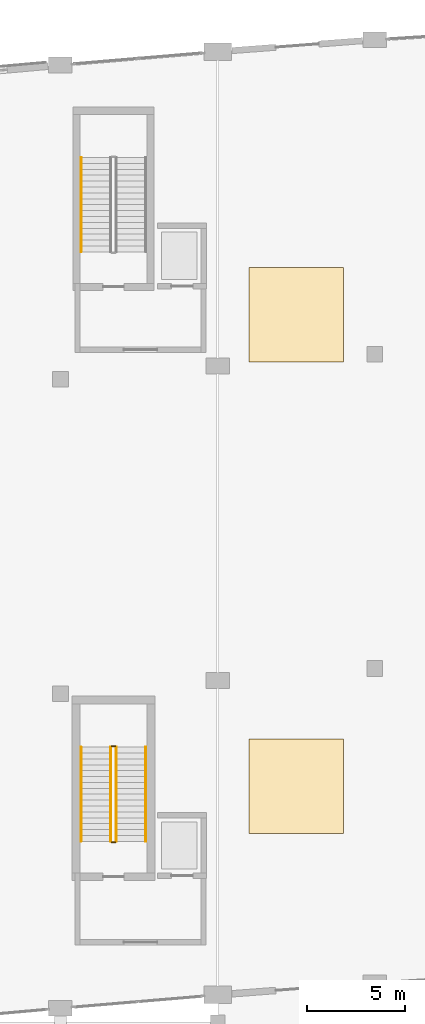
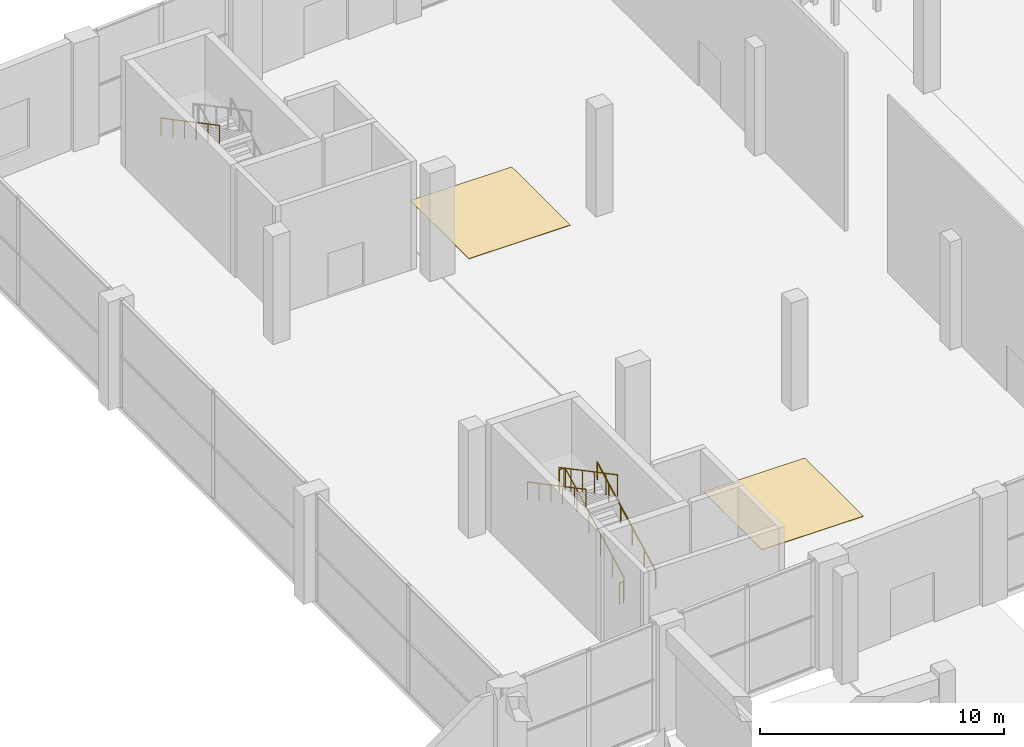
# One storey, part 75 of 86: 7 railings, 2 coverings.
"""IFC4 building model written with IfcOpenShell, lengths in metres."""

from ifc_helpers import new_model, si_unit, direction, frame, origin, origin_2d, place, context, subcontext, project, spatial, rectangle, circle, extrude, material, layer, layer_set, type_object, element, save


model = new_model("IFC4")

# Units and contexts
model_context = context("Model", 3, precision=1e-05, world=origin(), true_north=direction((0.0, 1.0)))
body_context = subcontext(model_context, "Body", "Model", "MODEL_VIEW")
ifc_project = project(units=[si_unit("LENGTHUNIT", "METRE"), si_unit("AREAUNIT", "SQUARE_METRE"), si_unit("VOLUMEUNIT", "CUBIC_METRE"), si_unit("PLANEANGLEUNIT", "RADIAN"), si_unit("MASSUNIT", "GRAM", prefix="KILO")], contexts=[model_context])

# Site, building, storey
site_placement = place(None, origin())
site = spatial("IfcSite", under=ifc_project, at=site_placement, CompositionType="ELEMENT")
building_placement = place(site_placement, origin())
building = spatial("IfcBuilding", under=site, at=building_placement, Name="Kenh Van Central Station", CompositionType="ELEMENT")
storey_placement = place(building_placement, origin())
storey = spatial("IfcBuildingStorey", under=building, at=storey_placement, Name="L00", CompositionType="ELEMENT", Elevation=0.0)

# Coverings
ifc_material_1 = material(Name="Polished station granite terrazzo", Category="masonry")
ifc_layer = layer(ifc_material_1, 0.02001953125, Name="Polished station granite terrazzo")
ifc_layer_set = layer_set([ifc_layer], Name="Polished station granite terrazzo")
covering_type = type_object("IfcCoveringType", Name="COV-FLR-GRANITE", PredefinedType="FLOORING", material=ifc_layer_set)
for number, where, z_axis, x_axis, name in (
    (1, (52.0, 76.0, 0.0), (0.0, 0.0, 1.0), (1.0, 0.0, 0.0), "L00 granite floor finish 017"),
    (2, (52.0, 100.0, 0.0), (0.0, 0.0, 1.0), (1.0, 0.0, 0.0), "L00 granite floor finish 018"),
):
    element("IfcCovering", number, at=place(storey_placement, frame(where, z_axis=z_axis, x_axis=x_axis)), inside=storey, type_object=covering_type, Name=name, PredefinedType="FLOORING", context=body_context, shape_type="SweptSolid", body=[
        extrude(rectangle(XDim=4.800048828125, YDim=4.800048828125, at=origin_2d()), origin(), (0.0, 0.0, 1.0), 0.02001953125),
    ])

# Railings
ifc_material_2 = material(Name="Champagne anodised aluminium", Category="aluminium")
railing_type_1 = type_object("IfcRailingType", Name="RAIL-CORE-GRD110", PredefinedType="GUARDRAIL", material=ifc_material_2)
railing_1_placement = place(storey_placement, frame((42.85009765625, 73.199951171875, 0.158935546875)))
element("IfcRailing", 3, at=railing_1_placement, inside=storey, type_object=railing_type_1, Name="L00 ST-05 stair guard 1", PredefinedType="GUARDRAIL", context=body_context, shape_type="SweptSolid", body=[
    extrude(circle(Radius=0.02392578125, at=origin_2d()), frame((0.0, 0.0, 1.076171875), z_axis=(0.0, 0.883802130504, 0.467860870469), x_axis=(-1.0, 0.0, 0.0)), (0.0, 0.0, 1.0), 5.43115234375),
    extrude(circle(Radius=0.02099609375, at=origin_2d()), origin(), (0.0, 0.0, 1.0), 1.052001953125),
    extrude(circle(Radius=0.02099609375, at=origin_2d()), frame((0.0, 0.9599609375, 0.50830078125)), (0.0, 0.0, 1.0), 1.052001953125),
    extrude(circle(Radius=0.02099609375, at=origin_2d()), frame((0.0, 1.919921875, 1.016357421875)), (0.0, 0.0, 1.0), 1.052001953125),
    extrude(circle(Radius=0.02099609375, at=origin_2d()), frame((0.0, 2.880126953125, 1.524658203125)), (0.0, 0.0, 1.0), 1.052001953125),
    extrude(circle(Radius=0.02099609375, at=origin_2d()), frame((0.0, 3.840087890625, 2.03271484375)), (0.0, 0.0, 1.0), 1.052001953125),
    extrude(circle(Radius=0.02099609375, at=origin_2d()), frame((0.0, 4.800048828125, 2.541015625)), (0.0, 0.0, 1.0), 1.052001953125),
])
railing_2_placement = place(storey_placement, frame((42.800048828125, 78.050048828125, 2.699951171875)))
element("IfcRailing", 4, at=railing_2_placement, inside=storey, type_object=railing_type_1, Name="L00 ST-05 stair guard 2", PredefinedType="GUARDRAIL", context=body_context, shape_type="SweptSolid", body=[
    extrude(circle(Radius=0.02392578125, at=origin_2d()), frame((0.0, 0.0, 1.076171875), z_axis=(-1.0, 0.0, 0.0), x_axis=(0.0, -1.0, 0.0)), (0.0, 0.0, 1.0), 0.199951171875),
    extrude(circle(Radius=0.02099609375, at=origin_2d()), origin(), (0.0, 0.0, 1.0), 1.052001953125),
    extrude(circle(Radius=0.02099609375, at=origin_2d()), frame((-0.199951171875, 0.0, 0.0)), (0.0, 0.0, 1.0), 1.052001953125),
])
railing_3_placement = place(storey_placement, frame((42.550048828125, 78.0, 2.85888671875)))
element("IfcRailing", 5, at=railing_3_placement, inside=storey, type_object=railing_type_1, Name="L00 ST-05 stair guard 3", PredefinedType="GUARDRAIL", context=body_context, shape_type="SweptSolid", body=[
    extrude(circle(Radius=0.02392578125, at=origin_2d()), frame((0.0, 0.0, 1.076171875), z_axis=(0.0, -0.883802130504, 0.467860870469), x_axis=(1.0, 0.0, 0.0)), (0.0, 0.0, 1.0), 5.43115234375),
    extrude(circle(Radius=0.02099609375, at=origin_2d()), origin(), (0.0, 0.0, 1.0), 1.052001953125),
    extrude(circle(Radius=0.02099609375, at=origin_2d()), frame((0.0, -0.9599609375, 0.50830078125)), (0.0, 0.0, 1.0), 1.052001953125),
    extrude(circle(Radius=0.02099609375, at=origin_2d()), frame((0.0, -1.919921875, 1.016357421875)), (0.0, 0.0, 1.0), 1.052001953125),
    extrude(circle(Radius=0.02099609375, at=origin_2d()), frame((0.0, -2.880126953125, 1.524658203125)), (0.0, 0.0, 1.0), 1.052001953125),
    extrude(circle(Radius=0.02099609375, at=origin_2d()), frame((0.0, -3.840087890625, 2.03271484375)), (0.0, 0.0, 1.0), 1.052001953125),
    extrude(circle(Radius=0.02099609375, at=origin_2d()), frame((0.0, -4.800048828125, 2.541015625)), (0.0, 0.0, 1.0), 1.052001953125),
])
railing_4_placement = place(storey_placement, frame((42.800048828125, 73.14990234375, 0.0)))
element("IfcRailing", 6, at=railing_4_placement, inside=storey, type_object=railing_type_1, Name="L00 ST-05 stair guard 4", PredefinedType="GUARDRAIL", context=body_context, shape_type="SweptSolid", body=[
    extrude(circle(Radius=0.02392578125, at=origin_2d()), frame((0.0, 0.0, 1.076171875), z_axis=(-1.0, 0.0, 0.0), x_axis=(0.0, -1.0, 0.0)), (0.0, 0.0, 1.0), 0.199951171875),
    extrude(circle(Radius=0.02099609375, at=origin_2d()), origin(), (0.0, 0.0, 1.0), 1.052001953125),
    extrude(circle(Radius=0.02099609375, at=origin_2d()), frame((-0.199951171875, 0.0, 0.0)), (0.0, 0.0, 1.0), 1.052001953125),
])
railing_type_2 = type_object("IfcRailingType", Name="RAIL-CORE-HND90", PredefinedType="HANDRAIL", material=ifc_material_2)
railing_5_placement = place(storey_placement, frame((44.35009765625, 73.199951171875, 0.158935546875)))
element("IfcRailing", 7, at=railing_5_placement, inside=storey, type_object=railing_type_2, Name="L00 ST-05 stair handrail 1", PredefinedType="HANDRAIL", context=body_context, shape_type="SweptSolid", body=[
    extrude(circle(Radius=0.02392578125, at=origin_2d()), frame((0.0, 0.0, 0.8759765625), z_axis=(0.0, 0.883802130504, 0.467860870469), x_axis=(-1.0, 0.0, 0.0)), (0.0, 0.0, 1.0), 5.43115234375),
    extrude(circle(Radius=0.02099609375, at=origin_2d()), origin(), (0.0, 0.0, 1.0), 0.851806640625),
    extrude(circle(Radius=0.02099609375, at=origin_2d()), frame((0.0, 0.9599609375, 0.50830078125)), (0.0, 0.0, 1.0), 0.851806640625),
    extrude(circle(Radius=0.02099609375, at=origin_2d()), frame((0.0, 1.919921875, 1.016357421875)), (0.0, 0.0, 1.0), 0.851806640625),
    extrude(circle(Radius=0.02099609375, at=origin_2d()), frame((0.0, 2.880126953125, 1.524658203125)), (0.0, 0.0, 1.0), 0.851806640625),
    extrude(circle(Radius=0.02099609375, at=origin_2d()), frame((0.0, 3.840087890625, 2.03271484375)), (0.0, 0.0, 1.0), 0.851806640625),
    extrude(circle(Radius=0.02099609375, at=origin_2d()), frame((0.0, 4.800048828125, 2.541015625)), (0.0, 0.0, 1.0), 0.851806640625),
])
for number, where, name in (
    (8, (41.050048828125, 78.0, 2.85888671875), "L00 ST-05 stair handrail 2"),
    (9, (41.050048828125, 108.0, 2.85888671875), "L00 ST-07 stair handrail 2"),
):
    element("IfcRailing", number, at=place(storey_placement, frame(where)), inside=storey, type_object=railing_type_2, Name=name, PredefinedType="HANDRAIL", context=body_context, shape_type="SweptSolid", body=[
        extrude(circle(Radius=0.02392578125, at=origin_2d()), frame((0.0, 0.0, 0.8759765625), z_axis=(0.0, -0.883802130504, 0.467860870469), x_axis=(1.0, 0.0, 0.0)), (0.0, 0.0, 1.0), 5.43115234375),
        extrude(circle(Radius=0.02099609375, at=origin_2d()), origin(), (0.0, 0.0, 1.0), 0.851806640625),
        extrude(circle(Radius=0.02099609375, at=origin_2d()), frame((0.0, -0.9599609375, 0.50830078125)), (0.0, 0.0, 1.0), 0.851806640625),
        extrude(circle(Radius=0.02099609375, at=origin_2d()), frame((0.0, -1.919921875, 1.016357421875)), (0.0, 0.0, 1.0), 0.851806640625),
        extrude(circle(Radius=0.02099609375, at=origin_2d()), frame((0.0, -2.880126953125, 1.524658203125)), (0.0, 0.0, 1.0), 0.851806640625),
        extrude(circle(Radius=0.02099609375, at=origin_2d()), frame((0.0, -3.840087890625, 2.03271484375)), (0.0, 0.0, 1.0), 0.851806640625),
        extrude(circle(Radius=0.02099609375, at=origin_2d()), frame((0.0, -4.800048828125, 2.541015625)), (0.0, 0.0, 1.0), 0.851806640625),
    ])

save(model, "model.ifc")
